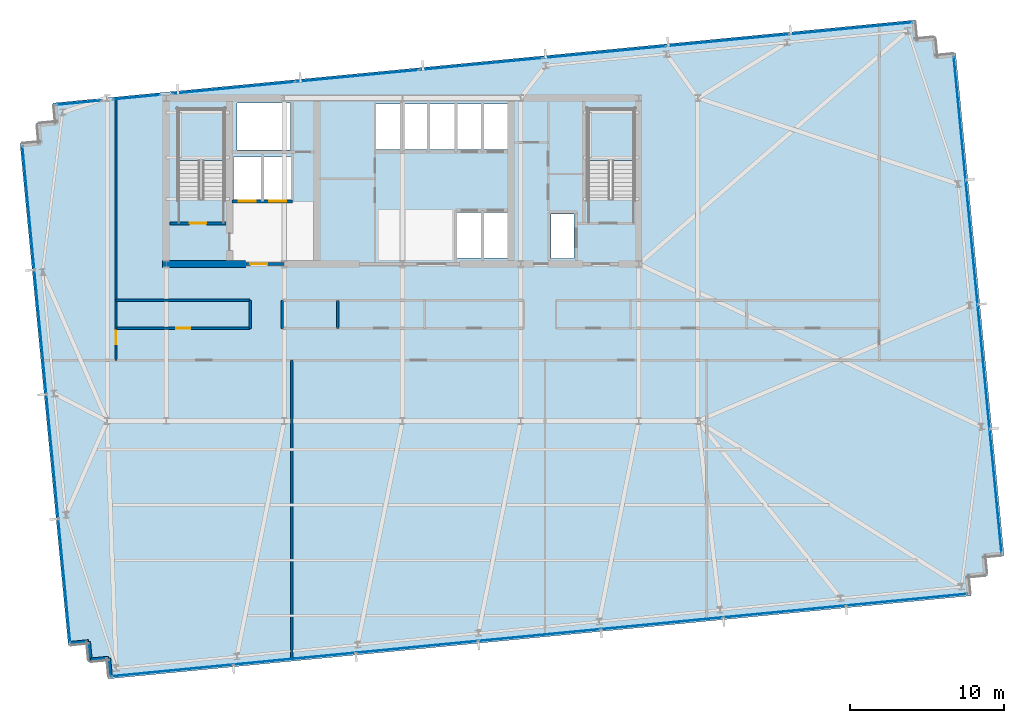
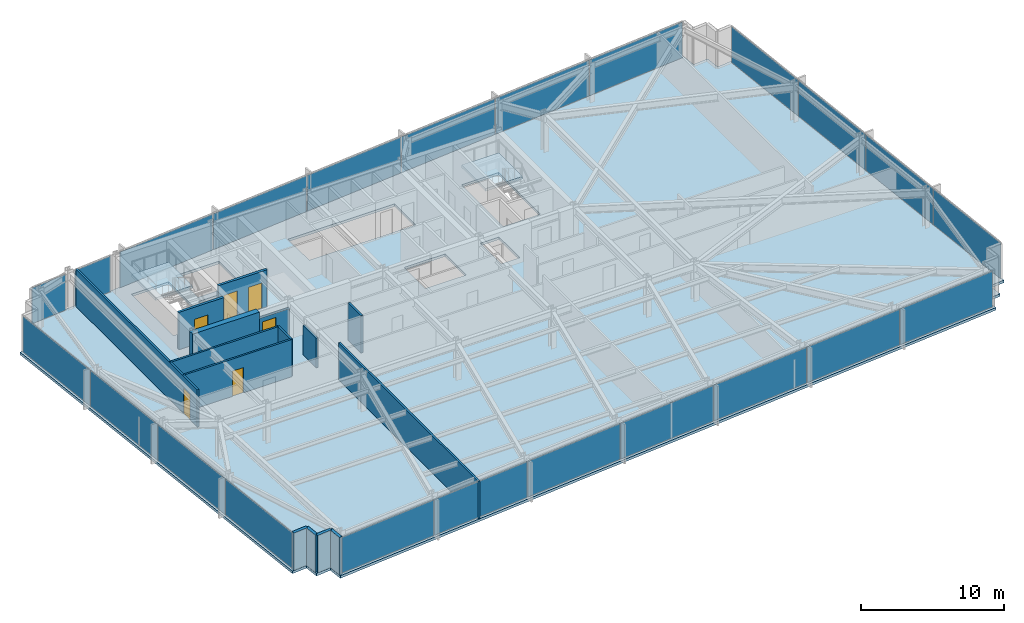
# One storey, part 24 of 32: 23 plates, 15 walls, 6 doors, 3 slabs, 6 openings, 8 elements without a shape of their own.
"""IFC4 building model written with IfcOpenShell, lengths in metres."""

from ifc_helpers import new_model, si_unit, direction, frame, frame_2d, origin, origin_2d, place, context, subcontext, project, spatial, polyline, rectangle, outline, extrude, material, layer, layer_set, type_object, element, fill, aggregate, save


model = new_model("IFC4")

# Units and contexts
model_context = context("Model", 3, precision=1e-05, world=origin(), true_north=direction((0.0, 1.0)))
body_context = subcontext(model_context, "Body", "Model", "MODEL_VIEW")
ifc_project = project(units=[si_unit("LENGTHUNIT", "METRE"), si_unit("AREAUNIT", "SQUARE_METRE"), si_unit("VOLUMEUNIT", "CUBIC_METRE"), si_unit("PLANEANGLEUNIT", "RADIAN"), si_unit("MASSUNIT", "GRAM", prefix="KILO")], contexts=[model_context])

# Site, building, storey
site_placement = place(None, origin())
site = spatial("IfcSite", under=ifc_project, at=site_placement, CompositionType="ELEMENT")
building_placement = place(site_placement, origin())
building = spatial("IfcBuilding", under=site, at=building_placement, Name="Yelkora Congress Tower", CompositionType="ELEMENT")
storey_placement = place(building_placement, frame((0.0, 0.0, 113.5)))
storey = spatial("IfcBuildingStorey", under=building, at=storey_placement, Name="L30", CompositionType="ELEMENT", Elevation=113.5)

# Curtain wall, plates
ifc_material_1 = material(Name="Anodised aluminium and insulated glass", Category="aluminium")
curtain_wall_type = type_object("IfcCurtainWallType", Name="CW-SYS-B2", PredefinedType="NOTDEFINED", material=ifc_material_1)
curtain_wall_1_placement = place(storey_placement, origin())
curtain_wall_1 = element("IfcCurtainWall", 1, at=curtain_wall_1_placement, inside=storey, type_object=curtain_wall_type, Name="L30 Unitised Curtain Wall 5", PredefinedType="NOTDEFINED")
ifc_material_2 = material(Name="Solar-control low-E glass unit B2", Category="glass")
ifc_layer_1 = layer(ifc_material_2, 0.0380859375)
ifc_layer_set_1 = layer_set([ifc_layer_1], Name="Solar-control low-E glass unit B2")
plate_type = type_object("IfcPlateType", Name="PLT-PN-B2", PredefinedType="CURTAIN_PANEL", material=ifc_layer_set_1)
plate_1_placement = place(storey_placement, frame((16.41650390625, 14.820068359375, 0.06494140625), z_axis=(0.0, 0.0, 1.0), x_axis=(-0.095842541913, 0.995396507508, 0.0)))
plate_1 = element("IfcPlate", 2, at=plate_1_placement, type_object=plate_type, Name="CW-B2 panel 1.1", PredefinedType="CURTAIN_PANEL", context=body_context, shape_type="SweptSolid", body=[
    extrude(rectangle(XDim=8.02490234375, YDim=0.0380859375, at=origin_2d()), origin(), (0.0, 0.0, 1.0), 3.050048828125),
])
plate_2_placement = place(storey_placement, frame((15.638916015625, 22.895263671875, 0.06494140625), z_axis=(0.0, 0.0, 1.0), x_axis=(-0.095842541913, 0.995396507508, 0.0)))
plate_2 = element("IfcPlate", 3, at=plate_2_placement, type_object=plate_type, Name="CW-B2 panel 2.1", PredefinedType="CURTAIN_PANEL", context=body_context, shape_type="SweptSolid", body=[
    extrude(rectangle(XDim=8.06005859375, YDim=0.0380859375, at=origin_2d()), origin(), (0.0, 0.0, 1.0), 3.050048828125),
])
plate_3_placement = place(storey_placement, frame((14.859619140625, 30.98779296875, 0.06494140625), z_axis=(0.0, 0.0, 1.0), x_axis=(-0.095842541913, 0.995396507508, 0.0)))
plate_3 = element("IfcPlate", 4, at=plate_3_placement, type_object=plate_type, Name="CW-B2 panel 3.1", PredefinedType="CURTAIN_PANEL", context=body_context, shape_type="SweptSolid", body=[
    extrude(rectangle(XDim=8.06005859375, YDim=0.0380859375, at=origin_2d()), origin(), (0.0, 0.0, 1.0), 3.050048828125),
])
plate_4_placement = place(storey_placement, frame((14.082275390625, 39.06298828125, 0.06494140625), z_axis=(0.0, 0.0, 1.0), x_axis=(-0.095842541913, 0.995396507508, 0.0)))
plate_4 = element("IfcPlate", 5, at=plate_4_placement, type_object=plate_type, Name="CW-B2 panel 4.1", PredefinedType="CURTAIN_PANEL", context=body_context, shape_type="SweptSolid", body=[
    extrude(rectangle(XDim=8.02490234375, YDim=0.0380859375, at=origin_2d()), origin(), (0.0, 0.0, 1.0), 3.050048828125),
])
aggregate(curtain_wall_1, [plate_1, plate_2, plate_3, plate_4])

# Curtain wall, plate
curtain_wall_2_placement = place(storey_placement, origin())
curtain_wall_2 = element("IfcCurtainWall", 6, at=curtain_wall_2_placement, inside=storey, type_object=curtain_wall_type, Name="L30 Unitised Curtain Wall 10 (1)", PredefinedType="NOTDEFINED")
plate_5_placement = place(storey_placement, frame((17.35888671875, 45.89111328125, 0.06494140625), z_axis=(0.0, 0.0, 1.0), x_axis=(0.99539681521, 0.095839346142, 0.0)))
plate_5 = element("IfcPlate", 7, at=plate_5_placement, type_object=plate_type, Name="CW-B2 panel 1.1", PredefinedType="CURTAIN_PANEL", context=body_context, shape_type="SweptSolid", body=[
    extrude(rectangle(XDim=2.89208984375, YDim=0.0380859375, at=origin_2d()), origin(), (0.0, 0.0, 1.0), 3.050048828125),
])
aggregate(curtain_wall_2, [plate_5])

curtain_wall_3_placement = place(storey_placement, origin())
curtain_wall_3 = element("IfcCurtainWall", 8, at=curtain_wall_3_placement, inside=storey, type_object=curtain_wall_type, Name="L30 Unitised Curtain Wall 10 (2)", PredefinedType="NOTDEFINED")
plate_6_placement = place(storey_placement, frame((21.1201171875, 46.253173828125, 0.06494140625), z_axis=(0.0, 0.0, 1.0), x_axis=(0.99539661748, 0.095841399764, 0.0)))
plate_6 = element("IfcPlate", 9, at=plate_6_placement, type_object=plate_type, Name="CW-B2 panel 1.1", PredefinedType="CURTAIN_PANEL", context=body_context, shape_type="SweptSolid", body=[
    extrude(rectangle(XDim=3.05078125, YDim=0.0380859375, at=origin_2d()), origin(), (0.0, 0.0, 1.0), 3.050048828125),
])
aggregate(curtain_wall_3, [plate_6])

# Curtain wall, plates
curtain_wall_4_placement = place(storey_placement, origin())
curtain_wall_4 = element("IfcCurtainWall", 10, at=curtain_wall_4_placement, inside=storey, type_object=curtain_wall_type, Name="L30 Unitised Curtain Wall 10 (3)", PredefinedType="NOTDEFINED")
plate_7_placement = place(storey_placement, frame((27.409423828125, 46.858642578125, 0.06494140625), z_axis=(0.0, 0.0, 1.0), x_axis=(0.995396344153, 0.095844238468, 0.0)))
plate_7 = element("IfcPlate", 11, at=plate_7_placement, type_object=plate_type, Name="CW-B2 panel 1.1", PredefinedType="CURTAIN_PANEL", context=body_context, shape_type="SweptSolid", body=[
    extrude(rectangle(XDim=7.97216796875, YDim=0.0380859375, at=origin_2d()), origin(), (0.0, 0.0, 1.0), 3.050048828125),
])
plate_8_placement = place(storey_placement, frame((35.431884765625, 47.631103515625, 0.06494140625), z_axis=(0.0, 0.0, 1.0), x_axis=(0.995396344153, 0.095844238468, 0.0)))
plate_8 = element("IfcPlate", 12, at=plate_8_placement, type_object=plate_type, Name="CW-B2 panel 2.1", PredefinedType="CURTAIN_PANEL", context=body_context, shape_type="SweptSolid", body=[
    extrude(rectangle(XDim=8.007080078125, YDim=0.0380859375, at=origin_2d()), origin(), (0.0, 0.0, 1.0), 3.050048828125),
])
plate_9_placement = place(storey_placement, frame((43.471923828125, 48.4052734375, 0.06494140625), z_axis=(0.0, 0.0, 1.0), x_axis=(0.995396344153, 0.095844238468, 0.0)))
plate_9 = element("IfcPlate", 13, at=plate_9_placement, type_object=plate_type, Name="CW-B2 panel 3.1", PredefinedType="CURTAIN_PANEL", context=body_context, shape_type="SweptSolid", body=[
    extrude(rectangle(XDim=8.007080078125, YDim=0.0380859375, at=origin_2d()), origin(), (0.0, 0.0, 1.0), 3.050048828125),
])
plate_10_placement = place(storey_placement, frame((51.511962890625, 49.179443359375, 0.06494140625), z_axis=(0.0, 0.0, 1.0), x_axis=(0.995396344153, 0.095844238468, 0.0)))
plate_10 = element("IfcPlate", 14, at=plate_10_placement, type_object=plate_type, Name="CW-B2 panel 4.1", PredefinedType="CURTAIN_PANEL", context=body_context, shape_type="SweptSolid", body=[
    extrude(rectangle(XDim=8.007080078125, YDim=0.0380859375, at=origin_2d()), origin(), (0.0, 0.0, 1.0), 3.050048828125),
])
plate_11_placement = place(storey_placement, frame((59.552001953125, 49.95361328125, 0.06494140625), z_axis=(0.0, 0.0, 1.0), x_axis=(0.995396344153, 0.095844238468, 0.0)))
plate_11 = element("IfcPlate", 15, at=plate_11_placement, type_object=plate_type, Name="CW-B2 panel 5.1", PredefinedType="CURTAIN_PANEL", context=body_context, shape_type="SweptSolid", body=[
    extrude(rectangle(XDim=8.007080078125, YDim=0.0380859375, at=origin_2d()), origin(), (0.0, 0.0, 1.0), 3.050048828125),
])
plate_12_placement = place(storey_placement, frame((67.574462890625, 50.72607421875, 0.06494140625), z_axis=(0.0, 0.0, 1.0), x_axis=(0.995396344153, 0.095844238468, 0.0)))
plate_12 = element("IfcPlate", 16, at=plate_12_placement, type_object=plate_type, Name="CW-B2 panel 6.1", PredefinedType="CURTAIN_PANEL", context=body_context, shape_type="SweptSolid", body=[
    extrude(rectangle(XDim=7.97216796875, YDim=0.0380859375, at=origin_2d()), origin(), (0.0, 0.0, 1.0), 3.050048828125),
])
aggregate(curtain_wall_4, [plate_7, plate_8, plate_9, plate_10, plate_11, plate_12])

curtain_wall_5_placement = place(storey_placement, origin())
curtain_wall_5 = element("IfcCurtainWall", 17, at=curtain_wall_5_placement, inside=storey, type_object=curtain_wall_type, Name="L30 Unitised Curtain Wall 15", PredefinedType="NOTDEFINED")
plate_13_placement = place(storey_placement, frame((74.6220703125, 44.892333984375, 0.06494140625), z_axis=(0.0, 0.0, 1.0), x_axis=(0.095842541913, -0.995396507508, 0.0)))
plate_13 = element("IfcPlate", 18, at=plate_13_placement, type_object=plate_type, Name="CW-B2 panel 1.1", PredefinedType="CURTAIN_PANEL", context=body_context, shape_type="SweptSolid", body=[
    extrude(rectangle(XDim=8.02490234375, YDim=0.0380859375, at=origin_2d()), origin(), (0.0, 0.0, 1.0), 3.050048828125),
])
plate_14_placement = place(storey_placement, frame((75.399658203125, 36.817138671875, 0.06494140625), z_axis=(0.0, 0.0, 1.0), x_axis=(0.095842541913, -0.995396507508, 0.0)))
plate_14 = element("IfcPlate", 19, at=plate_14_placement, type_object=plate_type, Name="CW-B2 panel 2.1", PredefinedType="CURTAIN_PANEL", context=body_context, shape_type="SweptSolid", body=[
    extrude(rectangle(XDim=8.06005859375, YDim=0.0380859375, at=origin_2d()), origin(), (0.0, 0.0, 1.0), 3.050048828125),
])
plate_15_placement = place(storey_placement, frame((76.178955078125, 28.724609375, 0.06494140625), z_axis=(0.0, 0.0, 1.0), x_axis=(0.095842541913, -0.995396507508, 0.0)))
plate_15 = element("IfcPlate", 20, at=plate_15_placement, type_object=plate_type, Name="CW-B2 panel 3.1", PredefinedType="CURTAIN_PANEL", context=body_context, shape_type="SweptSolid", body=[
    extrude(rectangle(XDim=8.06005859375, YDim=0.0380859375, at=origin_2d()), origin(), (0.0, 0.0, 1.0), 3.050048828125),
])
plate_16_placement = place(storey_placement, frame((76.95654296875, 20.6494140625, 0.06494140625), z_axis=(0.0, 0.0, 1.0), x_axis=(0.095842541913, -0.995396507508, 0.0)))
plate_16 = element("IfcPlate", 21, at=plate_16_placement, type_object=plate_type, Name="CW-B2 panel 4.1", PredefinedType="CURTAIN_PANEL", context=body_context, shape_type="SweptSolid", body=[
    extrude(rectangle(XDim=8.02490234375, YDim=0.0380859375, at=origin_2d()), origin(), (0.0, 0.0, 1.0), 3.050048828125),
])
aggregate(curtain_wall_5, [plate_13, plate_14, plate_15, plate_16])

curtain_wall_6_placement = place(storey_placement, origin())
curtain_wall_6 = element("IfcCurtainWall", 22, at=curtain_wall_6_placement, inside=storey, type_object=curtain_wall_type, Name="L30 Unitised Curtain Wall 20", PredefinedType="NOTDEFINED")
plate_17_placement = place(storey_placement, frame((71.1884765625, 13.58154296875, 0.06494140625), z_axis=(0.0, 0.0, 1.0), x_axis=(-0.995396333816, -0.095844345816, 0.0)))
plate_17 = element("IfcPlate", 23, at=plate_17_placement, type_object=plate_type, Name="CW-B2 panel 1.1", PredefinedType="CURTAIN_PANEL", context=body_context, shape_type="SweptSolid", body=[
    extrude(rectangle(XDim=7.89794921875, YDim=0.0380859375, at=origin_2d()), origin(), (0.0, 0.0, 1.0), 3.050048828125),
])
plate_18_placement = place(storey_placement, frame((63.23974609375, 12.816162109375, 0.06494140625), z_axis=(0.0, 0.0, 1.0), x_axis=(-0.995396333816, -0.095844345816, 0.0)))
plate_18 = element("IfcPlate", 24, at=plate_18_placement, type_object=plate_type, Name="CW-B2 panel 2.1", PredefinedType="CURTAIN_PANEL", context=body_context, shape_type="SweptSolid", body=[
    extrude(rectangle(XDim=7.932861328125, YDim=0.0380859375, at=origin_2d()), origin(), (0.0, 0.0, 1.0), 3.050048828125),
])
plate_19_placement = place(storey_placement, frame((55.273681640625, 12.049072265625, 0.06494140625), z_axis=(0.0, 0.0, 1.0), x_axis=(-0.995396333816, -0.095844345816, 0.0)))
plate_19 = element("IfcPlate", 25, at=plate_19_placement, type_object=plate_type, Name="CW-B2 panel 3.1", PredefinedType="CURTAIN_PANEL", context=body_context, shape_type="SweptSolid", body=[
    extrude(rectangle(XDim=7.932861328125, YDim=0.0380859375, at=origin_2d()), origin(), (0.0, 0.0, 1.0), 3.050048828125),
])
plate_20_placement = place(storey_placement, frame((47.307861328125, 11.281982421875, 0.06494140625), z_axis=(0.0, 0.0, 1.0), x_axis=(-0.995396333816, -0.095844345816, 0.0)))
plate_20 = element("IfcPlate", 26, at=plate_20_placement, type_object=plate_type, Name="CW-B2 panel 4.1", PredefinedType="CURTAIN_PANEL", context=body_context, shape_type="SweptSolid", body=[
    extrude(rectangle(XDim=7.932861328125, YDim=0.0380859375, at=origin_2d()), origin(), (0.0, 0.0, 1.0), 3.050048828125),
])
plate_21_placement = place(storey_placement, frame((39.341796875, 10.51513671875, 0.06494140625), z_axis=(0.0, 0.0, 1.0), x_axis=(-0.995396333816, -0.095844345816, 0.0)))
plate_21 = element("IfcPlate", 27, at=plate_21_placement, type_object=plate_type, Name="CW-B2 panel 5.1", PredefinedType="CURTAIN_PANEL", context=body_context, shape_type="SweptSolid", body=[
    extrude(rectangle(XDim=7.932861328125, YDim=0.0380859375, at=origin_2d()), origin(), (0.0, 0.0, 1.0), 3.050048828125),
])
plate_22_placement = place(storey_placement, frame((31.375732421875, 9.748046875, 0.06494140625), z_axis=(0.0, 0.0, 1.0), x_axis=(-0.995396333816, -0.095844345816, 0.0)))
plate_22 = element("IfcPlate", 28, at=plate_22_placement, type_object=plate_type, Name="CW-B2 panel 6.1", PredefinedType="CURTAIN_PANEL", context=body_context, shape_type="SweptSolid", body=[
    extrude(rectangle(XDim=7.932861328125, YDim=0.0380859375, at=origin_2d()), origin(), (0.0, 0.0, 1.0), 3.050048828125),
])
plate_23_placement = place(storey_placement, frame((23.42724609375, 8.982666015625, 0.06494140625), z_axis=(0.0, 0.0, 1.0), x_axis=(-0.995396333816, -0.095844345816, 0.0)))
plate_23 = element("IfcPlate", 29, at=plate_23_placement, type_object=plate_type, Name="CW-B2 panel 7.1", PredefinedType="CURTAIN_PANEL", context=body_context, shape_type="SweptSolid", body=[
    extrude(rectangle(XDim=7.89794921875, YDim=0.0380859375, at=origin_2d()), origin(), (0.0, 0.0, 1.0), 3.050048828125),
])
aggregate(curtain_wall_6, [plate_17, plate_18, plate_19, plate_20, plate_21, plate_22, plate_23])

# Stair, slab
ifc_material_3 = material(Name="Concrete C40/50", Category="concrete")
stair_type = type_object("IfcStairType", Name="STAIR-HT-1420-R20-170", PredefinedType="HALF_TURN_STAIR", material=ifc_material_3)
stair_1_placement = place(storey_placement, origin())
stair_1 = element("IfcStair", 30, at=stair_1_placement, inside=storey, type_object=stair_type, Name="West Core Protected Exit Stair ST-01 (L30)", PredefinedType="HALF_TURN_STAIR")
ifc_layer_2 = layer(ifc_material_3, 0.219970703125)
ifc_layer_set_2 = layer_set([ifc_layer_2], Name="Concrete C40/50")
slab_type_1 = type_object("IfcSlabType", Name="SLAB-LANDING-220", PredefinedType="LANDING", material=ifc_layer_set_2)
slab_1_placement = place(storey_placement, frame((0.0, 0.0, 1.47998046875)))
slab_1 = element("IfcSlab", 31, at=slab_1_placement, type_object=slab_type_1, Name="ST-01 L30 Half Landing 1", PredefinedType="LANDING", context=body_context, shape_type="SweptSolid", body=[
    extrude(outline(polyline([(26.820068359375, 42.1201171875), (26.820068359375, 45.469970703125), (23.820068359375, 45.469970703125), (23.820068359375, 42.1201171875), (26.820068359375, 42.1201171875)])), origin(), (0.0, 0.0, 1.0), 0.219970703125),
])
aggregate(stair_1, [slab_1])

stair_2_placement = place(storey_placement, origin())
stair_2 = element("IfcStair", 32, at=stair_2_placement, inside=storey, type_object=stair_type, Name="East Core Protected Exit Stair ST-02 (L30)", PredefinedType="HALF_TURN_STAIR")
slab_2_placement = place(storey_placement, frame((0.0, 0.0, 1.47998046875)))
slab_2 = element("IfcSlab", 33, at=slab_2_placement, type_object=slab_type_1, Name="ST-02 L30 Half Landing 1", PredefinedType="LANDING", context=body_context, shape_type="SweptSolid", body=[
    extrude(outline(polyline([(53.4599609375, 42.1201171875), (53.4599609375, 45.469970703125), (50.4599609375, 45.469970703125), (50.4599609375, 42.1201171875), (53.4599609375, 42.1201171875)])), origin(), (0.0, 0.0, 1.0), 0.219970703125),
])
aggregate(stair_2, [slab_2])

# Slab
ifc_layer_3 = layer(ifc_material_3, 0.219970703125)
ifc_layer_set_3 = layer_set([ifc_layer_3], Name="Concrete C40/50")
slab_type_2 = type_object("IfcSlabType", Name="SLAB-TWR-220", PredefinedType="FLOOR", material=ifc_layer_set_3)
slab_3_placement = place(storey_placement, frame((0.0, 0.0, -0.219970703125)))
element("IfcSlab", 34, at=slab_3_placement, inside=storey, type_object=slab_type_2, Name="L30 Structural Floor Slab", PredefinedType="FLOOR", context=body_context, shape_type="SweptSolid", body=[
    extrude(outline(polyline([(19.30078125, 8.444580078125), (75.341552734375, 13.8408203125), (75.2265625, 15.035400390625), (76.421142578125, 15.150390625), (76.30615234375, 16.3447265625), (77.50048828125, 16.459716796875), (74.356689453125, 49.10888671875), (73.162353515625, 48.99365234375), (73.04736328125, 50.188232421875), (71.852783203125, 50.0732421875), (71.73779296875, 51.267578125), (15.697021484375, 45.87158203125), (15.81201171875, 44.677001953125), (14.61767578125, 44.56201171875), (14.732666015625, 43.36767578125), (13.5380859375, 43.252685546875), (16.681884765625, 10.603515625), (17.876220703125, 10.718505859375), (17.9912109375, 9.524169921875), (19.185791015625, 9.63916015625), (19.30078125, 8.444580078125)]), holes=[polyline([(23.820068359375, 39.6298828125), (26.820068359375, 39.6298828125), (26.820068359375, 45.469970703125), (23.820068359375, 45.469970703125), (23.820068359375, 39.6298828125)]), polyline([(50.4599609375, 39.6298828125), (53.4599609375, 39.6298828125), (53.4599609375, 45.469970703125), (50.4599609375, 45.469970703125), (50.4599609375, 39.6298828125)]), polyline([(48.050048828125, 35.75), (49.550048828125, 35.75), (49.550048828125, 38.64990234375), (48.050048828125, 38.64990234375), (48.050048828125, 35.75)]), polyline([(36.64990234375, 42.85009765625), (45.25, 42.85009765625), (45.25, 45.800048828125), (36.64990234375, 45.800048828125), (36.64990234375, 42.85009765625)]), polyline([(41.949951171875, 35.800048828125), (45.25, 35.800048828125), (45.25, 38.75), (41.949951171875, 38.75), (41.949951171875, 35.800048828125)]), polyline([(27.419921875, 39.60009765625), (31.179931640625, 39.60009765625), (31.179931640625, 42.35009765625), (27.419921875, 42.35009765625), (27.419921875, 39.60009765625)]), polyline([(27.64990234375, 42.820068359375), (31.1201171875, 42.820068359375), (31.1201171875, 45.8798828125), (27.64990234375, 45.8798828125), (27.64990234375, 42.820068359375)])]), origin(), (0.0, 0.0, 1.0), 0.219970703125),
])

# Walls
ifc_material_4 = material(Name="Concrete C60/75", Category="concrete")
ifc_layer_4 = layer(ifc_material_4, 0.449951171875)
ifc_layer_set_4 = layer_set([ifc_layer_4], Name="Concrete C60/75")
wall_type_1 = type_object("IfcWallType", Name="WALL-CORE-INT-450", PredefinedType="SHEAR", material=ifc_layer_set_4)
wall_1_placement = place(storey_placement, frame((22.81494140625, 35.39990234375, 0.0), z_axis=(0.0, 0.0, 1.0), x_axis=(1.0, 0.0, 0.0)))
element("IfcWall", 35, at=wall_1_placement, inside=storey, type_object=wall_type_1, Name="L30 Rear Core South-West Shear Wall", PredefinedType="SHEAR", context=body_context, shape_type="SweptSolid", body=[
    extrude(rectangle(XDim=5.385009765625, YDim=0.449951171875, at=frame_2d((2.6923828125, 0.0))), origin(), (0.0, 0.0, 1.0), 3.179931640625),
])
ifc_layer_5 = layer(ifc_material_3, 0.239990234375)
ifc_layer_set_5 = layer_set([ifc_layer_5], Name="Concrete C40/50")
wall_type_2 = type_object("IfcWallType", Name="WALL-EXT-LIMESTONE-240", PredefinedType="SOLIDWALL", material=ifc_layer_set_5)
for number, where, z_axis, x_axis, name in (
    (36, (19.4267578125, 8.597412109375, 0.0), (0.0, 0.0, 1.0), (-0.095817067274, 0.995398960025, 0.0), "L30 Serrated Corner Limestone Pier 1"),
    (37, (19.311767578125, 9.7919921875, 0.0), (0.0, 0.0, 1.0), (-0.995398960025, -0.095817067274, 0.0), "L30 Serrated Corner Limestone Pier 2"),
):
    element("IfcWall", number, at=place(storey_placement, frame(where, z_axis=z_axis, x_axis=x_axis)), inside=storey, type_object=wall_type_2, Name=name, PredefinedType="SOLIDWALL", context=body_context, shape_type="SweptSolid", body=[
        extrude(rectangle(XDim=1.2001953125, YDim=0.239990234375, at=frame_2d((0.60009765625, 0.0))), origin(), (0.0, 0.0, 1.0), 3.179931640625),
    ])
wall_2_placement = place(storey_placement, frame((18.1171875, 9.677001953125, 0.0), z_axis=(0.0, 0.0, 1.0), x_axis=(-0.095836473879, 0.995397091755, 0.0)))
element("IfcWall", 38, at=wall_2_placement, inside=storey, type_object=wall_type_2, Name="L30 Serrated Corner Limestone Pier 3", PredefinedType="SOLIDWALL", context=body_context, shape_type="SweptSolid", body=[
    extrude(rectangle(XDim=1.199951171875, YDim=0.239990234375, at=frame_2d((0.60009765625, 0.0))), origin(), (0.0, 0.0, 1.0), 3.179931640625),
])
wall_3_placement = place(storey_placement, frame((18.002197265625, 10.871337890625, 0.0), z_axis=(0.0, 0.0, 1.0), x_axis=(-0.995398960025, -0.095817067274, 0.0)))
element("IfcWall", 39, at=wall_3_placement, inside=storey, type_object=wall_type_2, Name="L30 Serrated Corner Limestone Pier 4", PredefinedType="SOLIDWALL", context=body_context, shape_type="SweptSolid", body=[
    extrude(rectangle(XDim=1.2001953125, YDim=0.239990234375, at=frame_2d((0.60009765625, 0.0))), origin(), (0.0, 0.0, 1.0), 3.179931640625),
])
ifc_material_5 = material(Name="Acoustic metal-stud gypsum partition", Category="gypsum")
ifc_layer_6 = layer(ifc_material_5, 0.14990234375)
ifc_layer_set_6 = layer_set([ifc_layer_6], Name="Acoustic metal-stud gypsum partition")
wall_type_3 = type_object("IfcWallType", Name="WALL-INT-150-NR", PredefinedType="PARTITIONING", material=ifc_layer_set_6)
wall_4_placement = place(storey_placement, frame((31.199951171875, 9.6708984375, 0.0), z_axis=(0.0, 0.0, 1.0), x_axis=(0.0, 1.0, 0.0)))
element("IfcWall", 40, at=wall_4_placement, inside=storey, type_object=wall_type_3, Name="L30 Partition Wall 27", PredefinedType="PARTITIONING", context=body_context, shape_type="SweptSolid", body=[
    extrude(rectangle(XDim=19.4990234375, YDim=0.14990234375, at=frame_2d((9.74951171875, 0.0))), origin(), (0.0, 0.0, 1.0), 3.179931640625),
])

# Wall, opening, door
wall_5_placement = place(storey_placement, frame((19.77587890625, 29.14990234375, 0.0), z_axis=(0.0, 0.0, 1.0), x_axis=(0.0, 1.0, 0.0)))
wall_5 = element("IfcWall", 41, at=wall_5_placement, inside=storey, type_object=wall_type_3, Name="L30 Partition Wall 31", PredefinedType="PARTITIONING", context=body_context, shape_type="SweptSolid", body=[
    extrude(rectangle(XDim=17.0341796875, YDim=0.14990234375, at=frame_2d((8.51708984375, 0.0))), origin(), (0.0, 0.0, 1.0), 3.179931640625),
])
opening_1_placement = place(wall_5_placement, frame((1.030029296875, 0.0, 0.0)))
opening_1 = element("IfcOpeningElement", 42, at=opening_1_placement, cuts=wall_5, Name="Opening DR-090N", PredefinedType="OPENING", context=body_context, shape_type="SweptSolid", body=[
    extrude(rectangle(XDim=0.89990234375, YDim=2.14990234375, at=frame_2d((0.449951171875, 1.074951171875))), frame((0.0, 0.0849609375, 0.0), z_axis=(0.0, -1.0, 0.0), x_axis=(1.0, 0.0, 0.0)), (0.0, 0.0, 1.0), 0.169921875),
])
ifc_material_6 = material(Name="Moisture-resistant laminate door leaf", Category="wood")
door_type_1 = type_object("IfcDoorType", Name="DOOR-INT-900", OperationType="NOTDEFINED", PredefinedType="DOOR", material=ifc_material_6)
door_1_placement = place(opening_1_placement, origin())
door_1 = element("IfcDoor", 43, at=door_1_placement, inside=storey, type_object=door_type_1, Name="L30 W Wing Door", OperationType="SINGLE_SWING_LEFT", OverallHeight=2.14990234375, OverallWidth=0.89990234375, PredefinedType="DOOR", context=body_context, shape_type="SweptSolid", body=[
    extrude(rectangle(XDim=0.89990234375, YDim=2.14990234375, at=frame_2d((0.449951171875, 1.074951171875))), frame((0.0, 0.02490234375, 0.0), z_axis=(0.0, -1.0, 0.0), x_axis=(1.0, 0.0, 0.0)), (0.0, 0.0, 1.0), 0.050048828125),
])
fill(opening_1, door_1)

# Walls
wall_6_placement = place(storey_placement, frame((28.5, 31.22998046875, 0.0), z_axis=(0.0, 0.0, 1.0), x_axis=(0.0, 1.0, 0.0)))
element("IfcWall", 44, at=wall_6_placement, inside=storey, type_object=wall_type_3, Name="L30 Partition Wall 33", PredefinedType="PARTITIONING", context=body_context, shape_type="SweptSolid", body=[
    extrude(rectangle(XDim=1.820068359375, YDim=0.14990234375, at=frame_2d((0.91015625, 0.0))), origin(), (0.0, 0.0, 1.0), 3.179931640625),
])
wall_7_placement = place(storey_placement, frame((30.580078125, 31.22998046875, 0.0), z_axis=(0.0, 0.0, 1.0), x_axis=(0.0, 1.0, 0.0)))
element("IfcWall", 45, at=wall_7_placement, inside=storey, type_object=wall_type_3, Name="L30 Partition Wall 34", PredefinedType="PARTITIONING", context=body_context, shape_type="SweptSolid", body=[
    extrude(rectangle(XDim=1.820068359375, YDim=0.14990234375, at=frame_2d((0.91015625, 0.0))), origin(), (0.0, 0.0, 1.0), 2.52490234375),
])
wall_8_placement = place(storey_placement, frame((19.77587890625, 33.050048828125, 0.0), z_axis=(0.0, 0.0, 1.0), x_axis=(1.0, 0.0, 0.0)))
element("IfcWall", 46, at=wall_8_placement, inside=storey, type_object=wall_type_3, Name="L30 Partition Wall 37", PredefinedType="PARTITIONING", context=body_context, shape_type="SweptSolid", body=[
    extrude(rectangle(XDim=8.72412109375, YDim=0.14990234375, at=frame_2d((4.362060546875, 0.0))), origin(), (0.0, 0.0, 1.0), 3.179931640625),
])

# Wall, opening, door
wall_9_placement = place(storey_placement, frame((19.7958984375, 31.22998046875, 0.0), z_axis=(0.0, 0.0, 1.0), x_axis=(1.0, 0.0, 0.0)))
wall_9 = element("IfcWall", 47, at=wall_9_placement, inside=storey, type_object=wall_type_3, Name="L30 Partition Wall 40", PredefinedType="PARTITIONING", context=body_context, shape_type="SweptSolid", body=[
    extrude(rectangle(XDim=8.694091796875, YDim=0.14990234375, at=frame_2d((4.34716796875, 0.0))), origin(), (0.0, 0.0, 1.0), 3.179931640625),
])
opening_2_placement = place(wall_9_placement, frame((3.89697265625, 0.0, 0.0)))
opening_2 = element("IfcOpeningElement", 48, at=opening_2_placement, cuts=wall_9, Name="Opening DR-090N", PredefinedType="OPENING", context=body_context, shape_type="SweptSolid", body=[
    extrude(rectangle(XDim=0.89990234375, YDim=2.14990234375, at=frame_2d((0.449951171875, 1.074951171875))), frame((0.0, 0.0849609375, 0.0), z_axis=(0.0, -1.0, 0.0), x_axis=(1.0, 0.0, 0.0)), (0.0, 0.0, 1.0), 0.169921875),
])
door_2_placement = place(opening_2_placement, origin())
door_2 = element("IfcDoor", 49, at=door_2_placement, inside=storey, type_object=door_type_1, Name="L30 Security Control Room Door", OperationType="SINGLE_SWING_LEFT", OverallHeight=2.14990234375, OverallWidth=0.89990234375, PredefinedType="DOOR", context=body_context, shape_type="SweptSolid", body=[
    extrude(rectangle(XDim=0.89990234375, YDim=2.14990234375, at=frame_2d((0.449951171875, 1.074951171875))), frame((0.0, 0.02490234375, 0.0), z_axis=(0.0, -1.0, 0.0), x_axis=(1.0, 0.0, 0.0)), (0.0, 0.0, 1.0), 0.050048828125),
])
fill(opening_2, door_2)

# Wall
wall_10_placement = place(storey_placement, frame((34.200927734375, 31.22998046875, 0.0), z_axis=(0.0, 0.0, 1.0), x_axis=(0.0, 1.0, 0.0)))
element("IfcWall", 50, at=wall_10_placement, inside=storey, type_object=wall_type_3, Name="L30 Partition Wall 41", PredefinedType="PARTITIONING", context=body_context, shape_type="SweptSolid", body=[
    extrude(rectangle(XDim=1.820068359375, YDim=0.14990234375, at=frame_2d((0.91015625, 0.0))), origin(), (0.0, 0.0, 1.0), 3.179931640625),
])

# Wall, opening, door
ifc_material_7 = material(Name="Autoclaved aerated concrete blockwork", Category="masonry")
ifc_layer_7 = layer(ifc_material_7, 0.199951171875)
ifc_layer_set_7 = layer_set([ifc_layer_7], Name="Autoclaved aerated concrete blockwork")
wall_type_4 = type_object("IfcWallType", Name="WALL-INT-200-R120", PredefinedType="PARTITIONING", material=ifc_layer_set_7)
wall_11_placement = place(storey_placement, frame((23.300048828125, 38.050048828125, 0.0), z_axis=(0.0, 0.0, 1.0), x_axis=(1.0, 0.0, 0.0)))
wall_11 = element("IfcWall", 51, at=wall_11_placement, inside=storey, type_object=wall_type_4, Name="L30 Stair ST-01 Enclosure Wall", PredefinedType="PARTITIONING", context=body_context, shape_type="SweptSolid", body=[
    extrude(rectangle(XDim=3.619873046875, YDim=0.199951171875, at=frame_2d((1.81005859375, 0.0))), origin(), (0.0, 0.0, 1.0), 3.179931640625),
])
opening_3_placement = place(wall_11_placement, frame((1.260009765625, 0.0, 0.0)))
opening_3 = element("IfcOpeningElement", 52, at=opening_3_placement, cuts=wall_11, Name="Opening DR-110F9", PredefinedType="OPENING", context=body_context, shape_type="SweptSolid", body=[
    extrude(rectangle(XDim=1.10009765625, YDim=2.14990234375, at=frame_2d((0.550048828125, 1.074951171875))), frame((0.0, 0.10986328125, 0.0), z_axis=(0.0, -1.0, 0.0), x_axis=(1.0, 0.0, 0.0)), (0.0, 0.0, 1.0), 0.219970703125),
])
ifc_material_8 = material(Name="Galvanised steel fire door leaf", Category="steel")
door_type_2 = type_object("IfcDoorType", Name="DOOR-FD90-1100", OperationType="NOTDEFINED", PredefinedType="DOOR", material=ifc_material_8)
door_3_placement = place(opening_3_placement, origin())
door_3 = element("IfcDoor", 53, at=door_3_placement, inside=storey, type_object=door_type_2, Name="L30 Stair ST-01 Entry Door", OperationType="SINGLE_SWING_LEFT", OverallHeight=2.14990234375, OverallWidth=1.10009765625, PredefinedType="DOOR", context=body_context, shape_type="SweptSolid", body=[
    extrude(rectangle(XDim=1.10009765625, YDim=2.14990234375, at=frame_2d((0.550048828125, 1.074951171875))), frame((0.0, 0.02490234375, 0.0), z_axis=(0.0, -1.0, 0.0), x_axis=(1.0, 0.0, 0.0)), (0.0, 0.0, 1.0), 0.050048828125),
])
fill(opening_3, door_3)

wall_12_placement = place(storey_placement, frame((28.219970703125, 35.39990234375, 0.0), z_axis=(0.0, 0.0, 1.0), x_axis=(1.0, 0.0, 0.0)))
wall_12 = element("IfcWall", 54, at=wall_12_placement, inside=storey, type_object=wall_type_4, Name="L30 Firefighting Lobby South Wall", PredefinedType="PARTITIONING", context=body_context, shape_type="SweptSolid", body=[
    extrude(rectangle(XDim=2.5, YDim=0.199951171875, at=frame_2d((1.25, 0.0))), origin(), (0.0, 0.0, 1.0), 2.52490234375),
])
opening_4_placement = place(wall_12_placement, frame((0.300048828125, 0.0, 0.0)))
opening_4 = element("IfcOpeningElement", 55, at=opening_4_placement, cuts=wall_12, Name="Opening DR-110F9", PredefinedType="OPENING", context=body_context, shape_type="SweptSolid", body=[
    extrude(rectangle(XDim=1.10009765625, YDim=2.14990234375, at=frame_2d((0.550048828125, 1.074951171875))), frame((0.0, 0.10986328125, 0.0), z_axis=(0.0, -1.0, 0.0), x_axis=(1.0, 0.0, 0.0)), (0.0, 0.0, 1.0), 0.219970703125),
])
door_4_placement = place(opening_4_placement, origin())
door_4 = element("IfcDoor", 56, at=door_4_placement, inside=storey, type_object=door_type_2, Name="L30 Firefighting Lobby Corridor Door", OperationType="SINGLE_SWING_RIGHT", OverallHeight=2.14990234375, OverallWidth=1.10009765625, PredefinedType="DOOR", context=body_context, shape_type="SweptSolid", body=[
    extrude(rectangle(XDim=1.10009765625, YDim=2.14990234375, at=frame_2d((0.550048828125, 1.074951171875))), frame((0.0, 0.02490234375, 0.0), z_axis=(0.0, -1.0, 0.0), x_axis=(1.0, 0.0, 0.0)), (0.0, 0.0, 1.0), 0.050048828125),
])
fill(opening_4, door_4)

# Wall, openings, doors
wall_13_placement = place(storey_placement, frame((27.320068359375, 39.47998046875, 0.0), z_axis=(0.0, 0.0, 1.0), x_axis=(1.0, 0.0, 0.0)))
wall_13 = element("IfcWall", 57, at=wall_13_placement, inside=storey, type_object=wall_type_4, Name="L30 Firefighting Lift Front Wall", PredefinedType="PARTITIONING", context=body_context, shape_type="SweptSolid", body=[
    extrude(rectangle(XDim=3.93994140625, YDim=0.199951171875, at=frame_2d((1.969970703125, 0.0))), origin(), (0.0, 0.0, 1.0), 3.179931640625),
])
opening_5_placement = place(wall_13_placement, frame((0.449951171875, 0.0, 0.0)))
opening_5 = element("IfcOpeningElement", 58, at=opening_5_placement, cuts=wall_13, Name="Opening LD-FF11", PredefinedType="OPENING", context=body_context, shape_type="SweptSolid", body=[
    extrude(rectangle(XDim=1.10009765625, YDim=2.199951171875, at=frame_2d((0.550048828125, 1.10009765625))), frame((0.0, 0.10986328125, 0.0), z_axis=(0.0, -1.0, 0.0), x_axis=(1.0, 0.0, 0.0)), (0.0, 0.0, 1.0), 0.219970703125),
])
opening_6_placement = place(wall_13_placement, frame((2.409912109375, 0.0, 0.0)))
opening_6 = element("IfcOpeningElement", 59, at=opening_6_placement, cuts=wall_13, Name="Opening LD-FF11", PredefinedType="OPENING", context=body_context, shape_type="SweptSolid", body=[
    extrude(rectangle(XDim=1.10009765625, YDim=2.199951171875, at=frame_2d((0.550048828125, 1.10009765625))), frame((0.0, 0.10986328125, 0.0), z_axis=(0.0, -1.0, 0.0), x_axis=(1.0, 0.0, 0.0)), (0.0, 0.0, 1.0), 0.219970703125),
])
ifc_material_9 = material(Name="Brushed stainless steel 316L landing door", Category="steel")
door_type_3 = type_object("IfcDoorType", Name="DOOR-LIFT-FF-1100", OperationType="DOUBLE_DOOR_SLIDING", PredefinedType="DOOR", material=ifc_material_9)
door_5_placement = place(opening_5_placement, origin())
door_5 = element("IfcDoor", 60, at=door_5_placement, inside=storey, type_object=door_type_3, Name="Lift Landing Door LF-FF1 L30", OperationType="DOUBLE_DOOR_SLIDING", OverallHeight=2.199951171875, OverallWidth=1.10009765625, PredefinedType="DOOR", context=body_context, shape_type="SweptSolid", body=[
    extrude(rectangle(XDim=1.10009765625, YDim=2.199951171875, at=frame_2d((0.550048828125, 1.10009765625))), frame((0.0, 0.02490234375, 0.0), z_axis=(0.0, -1.0, 0.0), x_axis=(1.0, 0.0, 0.0)), (0.0, 0.0, 1.0), 0.050048828125),
])
fill(opening_5, door_5)
door_6_placement = place(opening_6_placement, origin())
door_6 = element("IfcDoor", 61, at=door_6_placement, inside=storey, type_object=door_type_3, Name="Lift Landing Door LF-FF2 L30", OperationType="DOUBLE_DOOR_SLIDING", OverallHeight=2.199951171875, OverallWidth=1.10009765625, PredefinedType="DOOR", context=body_context, shape_type="SweptSolid", body=[
    extrude(rectangle(XDim=1.10009765625, YDim=2.199951171875, at=frame_2d((0.550048828125, 1.10009765625))), frame((0.0, 0.02490234375, 0.0), z_axis=(0.0, -1.0, 0.0), x_axis=(1.0, 0.0, 0.0)), (0.0, 0.0, 1.0), 0.050048828125),
])
fill(opening_6, door_6)

save(model, "model.ifc")
